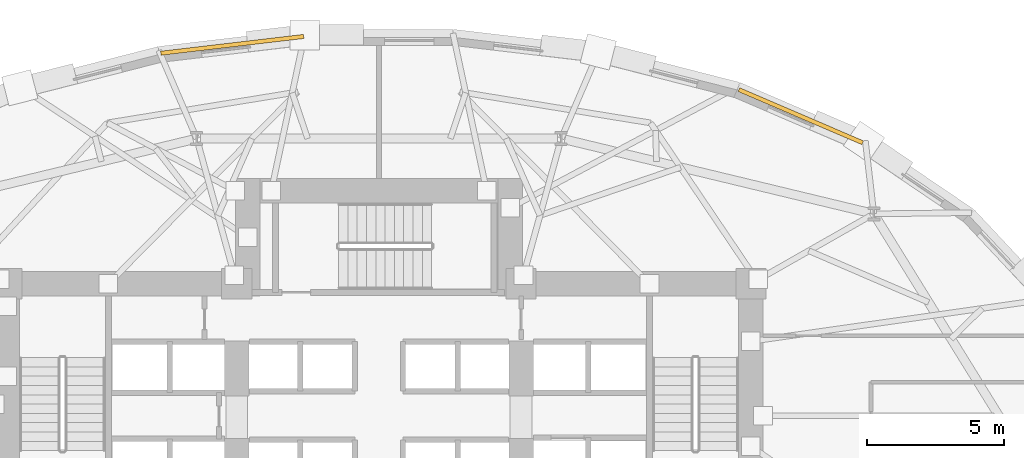
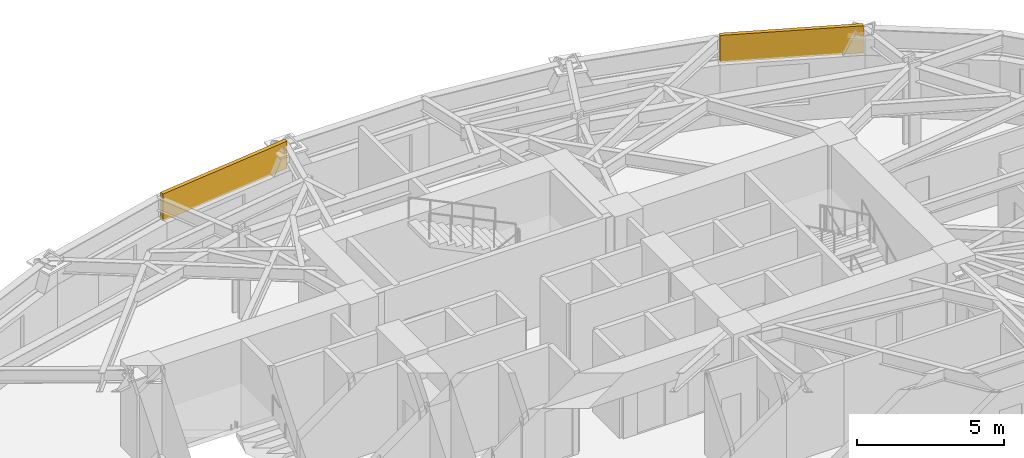
# One storey, part 13 of 13: 2 coverings.
"""IFC4 building model written with IfcOpenShell, lengths in metres."""

from ifc_helpers import new_model, si_unit, direction, frame, origin, origin_2d, place, context, subcontext, project, spatial, rectangle, extrude, material, layer, layer_set, type_object, element, save


model = new_model("IFC4")

# Units and contexts
model_context = context("Model", 3, precision=1e-05, world=origin(), true_north=direction((0.0, 1.0)))
body_context = subcontext(model_context, "Body", "Model", "MODEL_VIEW")
ifc_project = project(units=[si_unit("LENGTHUNIT", "METRE"), si_unit("AREAUNIT", "SQUARE_METRE"), si_unit("VOLUMEUNIT", "CUBIC_METRE"), si_unit("PLANEANGLEUNIT", "RADIAN"), si_unit("MASSUNIT", "GRAM", prefix="KILO")], contexts=[model_context])

# Site, building, storey
site_placement = place(None, origin())
site = spatial("IfcSite", under=ifc_project, at=site_placement, CompositionType="ELEMENT")
building_placement = place(site_placement, origin())
building = spatial("IfcBuilding", under=site, at=building_placement, Name="Keldmark Tower", CompositionType="ELEMENT")
storey_placement = place(building_placement, frame((0.0, 0.0, 45.0)))
storey = spatial("IfcBuildingStorey", under=building, at=storey_placement, Name="L11", CompositionType="ELEMENT", Elevation=45.0)

# Coverings
ifc_material = material(Name="Honed Kasota Buff Dolomitic Limestone", Category="masonry")
ifc_layer = layer(ifc_material, 0.074951171875)
ifc_layer_set = layer_set([ifc_layer], Name="Honed Kasota Buff Dolomitic Limestone")
covering_type = type_object("IfcCoveringType", Name="Kasota Buff Limestone Spandrel Cladding Band", PredefinedType="CLADDING", material=ifc_layer_set)
covering_1_placement = place(storey_placement, frame((15.426513671875, 15.5791015625, 2.453125), z_axis=(0.0, 0.0, 1.0), x_axis=(-0.91888763684, 0.394519341558, 0.0)))
element("IfcCovering", 1, at=covering_1_placement, inside=storey, type_object=covering_type, Name="L11 Kasota Limestone Spandrel Band 05", PredefinedType="CLADDING", context=body_context, shape_type="SweptSolid", body=[
    extrude(rectangle(XDim=4.922119140625, YDim=0.14990234375, at=origin_2d()), origin(), (0.0, 0.0, 1.0), 1.126953125),
])
covering_2_placement = place(storey_placement, frame((-5.36474609375, 18.1875, 2.453125), z_axis=(0.0, 0.0, 1.0), x_axis=(-0.993158426362, -0.116774741047, 0.0)))
element("IfcCovering", 2, at=covering_2_placement, inside=storey, type_object=covering_type, Name="L11 Kasota Limestone Spandrel Band 09", PredefinedType="CLADDING", context=body_context, shape_type="SweptSolid", body=[
    extrude(rectangle(XDim=5.261962890625, YDim=0.14990234375, at=origin_2d()), origin(), (0.0, 0.0, 1.0), 1.126953125),
])

save(model, "model.ifc")
